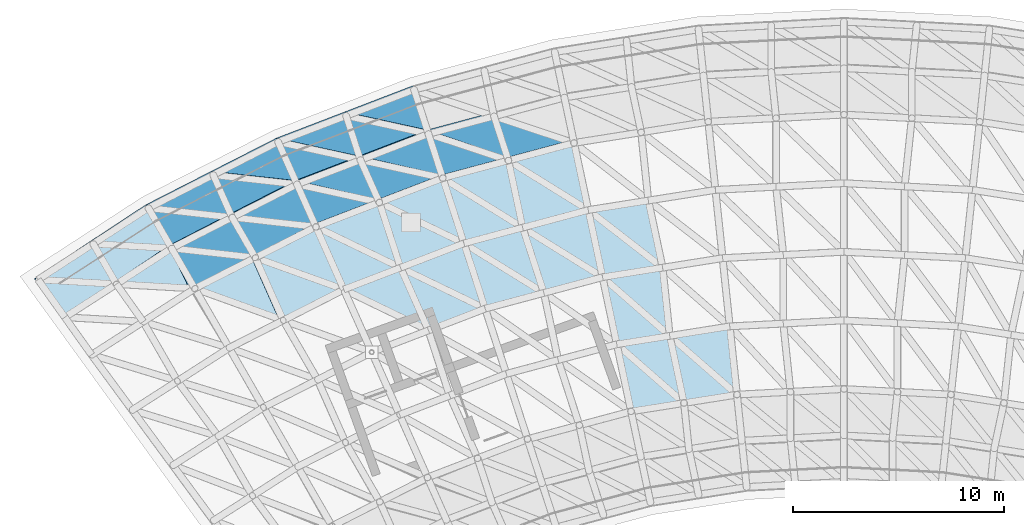
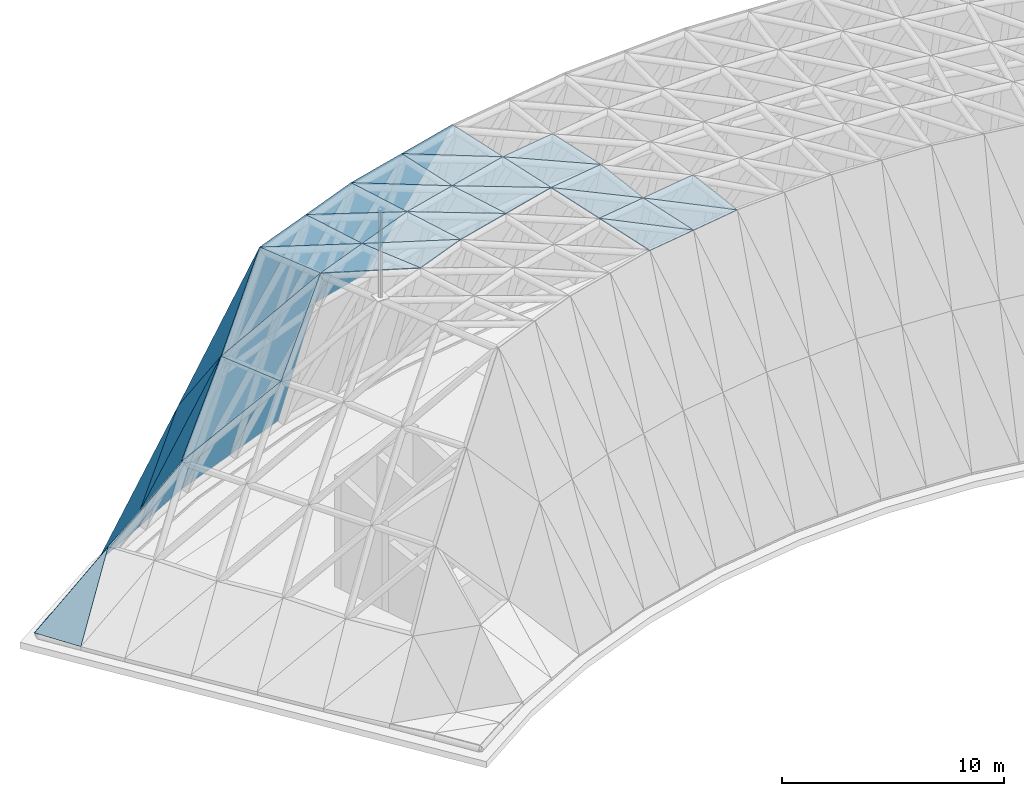
# One storey, part 13 of 20: 50 plates, 22 elements without a shape of their own.
"""IFC4 building model written with IfcOpenShell, lengths in metres."""

from ifc_helpers import new_model, si_unit, direction, frame, origin, place, context, subcontext, project, spatial, polyline, outline, extrude, material, layer, layer_set, type_object, element, aggregate, save


model = new_model("IFC4")

# Units and contexts
model_context = context("Model", 3, precision=1e-05, world=origin(), true_north=direction((0.0, 1.0)))
body_context = subcontext(model_context, "Body", "Model", "MODEL_VIEW")
ifc_project = project(units=[si_unit("LENGTHUNIT", "METRE"), si_unit("AREAUNIT", "SQUARE_METRE"), si_unit("VOLUMEUNIT", "CUBIC_METRE"), si_unit("PLANEANGLEUNIT", "RADIAN"), si_unit("MASSUNIT", "GRAM", prefix="KILO")], contexts=[model_context])

# Site, building, storey
site_placement = place(None, origin())
site = spatial("IfcSite", under=ifc_project, at=site_placement, CompositionType="ELEMENT")
building_placement = place(site_placement, origin())
building = spatial("IfcBuilding", under=site, at=building_placement, Name="Stone Belt Terrace Tower", CompositionType="ELEMENT")
storey_placement = place(building_placement, frame((0.0, 0.0, 337.39990234375)))
storey = spatial("IfcBuildingStorey", under=building, at=storey_placement, Name="RF", CompositionType="ELEMENT", Elevation=337.39990234375)

# Curtain wall, plate
ifc_material_1 = material(Name="Structural steel C345", Category="steel")
ifc_layer_1 = layer(ifc_material_1, 0.324951171875)
ifc_layer_set_1 = layer_set([ifc_layer_1], Name="CW-F glass point curtain wall")
curtain_wall_type = type_object("IfcCurtainWallType", Name="CW-F glass point curtain wall", PredefinedType="NOTDEFINED", material=ifc_layer_set_1)
curtain_wall_1_placement = place(storey_placement, origin())
curtain_wall_1 = element("IfcCurtainWall", 1, at=curtain_wall_1_placement, inside=storey, type_object=curtain_wall_type, Name="CW-F glass point panels 1", PredefinedType="NOTDEFINED")
ifc_material_2 = material(Name="Clear double glazed unit")
ifc_layer_2 = layer(ifc_material_2, 0.044921875)
ifc_layer_set_2 = layer_set([ifc_layer_2], Name="Glass point facet panel 45")
plate_type = type_object("IfcPlateType", Name="Glass point facet panel 45", PredefinedType="CURTAIN_PANEL", material=ifc_layer_set_2)
plate_1_placement = place(storey_placement, frame((-38.349853515625, 53.722900390625, 0.34619140625), z_axis=(-0.463100432357, 0.713906854803, 0.525238033862), x_axis=(0.830839480416, 0.556027981679, -0.023208648646)))
plate_1 = element("IfcPlate", 2, at=plate_1_placement, type_object=plate_type, Name="GLASS POINT FACET 1", PredefinedType="CURTAIN_PANEL", context=body_context, shape_type="SweptSolid", body=[
    extrude(outline(polyline([(0.0, 0.0), (3.239969446205963, -2.0816681711721685e-16), (2.885976348641037, -4.264473346641817), (0.0, 0.0)])), origin(), (0.0, 0.0, -1.0), 0.044921875),
])

curtain_wall_2_placement = place(storey_placement, origin())
curtain_wall_2 = element("IfcCurtainWall", 3, at=curtain_wall_2_placement, inside=storey, type_object=curtain_wall_type, Name="CW-F glass point panels 8", PredefinedType="NOTDEFINED")
plate_2_placement = place(storey_placement, frame((-33.081787109375, 57.221435546875, 0.25927734375), z_axis=(-0.465630247437, 0.71048891699, 0.527630525564), x_axis=(0.259612021142, -0.46031364625, 0.848948140675)))
plate_2 = element("IfcPlate", 4, at=plate_2_placement, type_object=plate_type, Name="GLASS POINT FACET 2", PredefinedType="CURTAIN_PANEL", context=body_context, shape_type="SweptSolid", body=[
    extrude(outline(polyline([(0.0, 0.0), (4.206434705229983, 4.163336342344337e-17), (0.12237480498161792, -3.0842454761654188), (0.0, 0.0)])), origin(), (0.0, 0.0, -1.0), 0.044921875),
])

curtain_wall_3_placement = place(storey_placement, origin())
curtain_wall_3 = element("IfcCurtainWall", 5, at=curtain_wall_3_placement, inside=storey, type_object=curtain_wall_type, Name="CW-F glass point panels 15", PredefinedType="NOTDEFINED")
plate_3_placement = place(storey_placement, frame((-30.997802734375, 53.23095703125, 7.4970703125), z_axis=(-0.463072350253, 0.713925637331, 0.525237263332), x_axis=(-0.710692171094, 0.055009642863, -0.701349112167)))
plate_3 = element("IfcPlate", 6, at=plate_3_placement, type_object=plate_type, Name="GLASS POINT FACET 3", PredefinedType="CURTAIN_PANEL", context=body_context, shape_type="SweptSolid", body=[
    extrude(outline(polyline([(0.0, 0.0), (5.121616258305911, 2.220446049250313e-16), (3.3912369649764305, -2.6768931414337764), (0.0, 0.0)])), origin(), (0.0, 0.0, -1.0), 0.044921875),
])

curtain_wall_4_placement = place(storey_placement, origin())
curtain_wall_4 = element("IfcCurtainWall", 7, at=curtain_wall_4_placement, inside=storey, type_object=curtain_wall_type, Name="CW-F glass point panels 22", PredefinedType="NOTDEFINED")
plate_4_placement = place(storey_placement, frame((-35.658935546875, 55.524169921875, 0.2705078125), z_axis=(-0.463118322268, 0.713895978158, 0.525237043581), x_axis=(0.717015592258, -0.04656069315, 0.695500353927)))
plate_4 = element("IfcPlate", 8, at=plate_4_placement, type_object=plate_type, Name="GLASS POINT FACET 4", PredefinedType="CURTAIN_PANEL", context=body_context, shape_type="SweptSolid", body=[
    extrude(outline(polyline([(0.0, 0.0), (5.117648253918683, -4.440892098500626e-16), (3.3551086943657404, -2.6559912812984705), (0.0, 0.0)])), origin(), (0.0, 0.0, -1.0), 0.044921875),
])

# Plate
plate_5_placement = place(storey_placement, frame((-38.349853515625, 53.7236328125, 0.34619140625), z_axis=(-0.631457865934, -0.449050576176, 0.632150728533), x_axis=(0.721268635688, -0.040865884315, 0.691448866275)))
plate_5 = element("IfcPlate", 9, at=plate_5_placement, type_object=plate_type, Name="GLASS POINT FACET 5", PredefinedType="CURTAIN_PANEL", context=body_context, shape_type="SweptSolid", body=[
    extrude(outline(polyline([(0.0, 0.0), (5.149753205626579, 2.220446049250313e-16), (0.9866390552476534, -2.103093110051632), (0.0, 0.0)])), origin(), (0.0, 0.0, -1.0), 0.044921875),
])

plate_6_placement = place(storey_placement, frame((-33.0830078125, 57.220703125, 0.259033203125), z_axis=(-0.434077752515, 0.855891368155, 0.28111647175), x_axis=(0.890317659941, 0.455203153304, -0.01116035926)))
plate_6 = element("IfcPlate", 10, at=plate_6_placement, type_object=plate_type, Name="GLASS POINT FACET 33", PredefinedType="CURTAIN_PANEL", context=body_context, shape_type="SweptSolid", body=[
    extrude(outline(polyline([(0.0, 0.0), (3.5001113397055077, -2.0816681711721685e-17), (3.234254334807338, -7.842614442237687), (0.0, 0.0)])), origin(), (0.0, 0.0, -1.0), 0.044921875),
])

plate_7_placement = place(storey_placement, frame((-26.88134765625, 60.385986328125, 0.22021484375), z_axis=(-0.435656805332, 0.855104474669, 0.281068470963), x_axis=(0.114065147326, -0.257294501497, 0.959577345327)))
plate_7 = element("IfcPlate", 11, at=plate_7_placement, type_object=plate_type, Name="GLASS POINT FACET 34", PredefinedType="CURTAIN_PANEL", context=body_context, shape_type="SweptSolid", body=[
    extrude(outline(polyline([(0.0, 0.0), (7.818739764346369, 2.7755575615628914e-17), (0.052282385046498715, -3.4637529908196845), (0.0, 0.0)])), origin(), (0.0, 0.0, -1.0), 0.044921875),
])

aggregate(curtain_wall_2, [plate_2, plate_5, plate_7])

plate_8_placement = place(storey_placement, frame((-25.15576171875, 56.29443359375, 15.3896484375), z_axis=(-0.435898923956, 0.855501344938, 0.27948090615), x_axis=(-0.460296062073, 0.054933267123, -0.886064259184)))
plate_8 = element("IfcPlate", 12, at=plate_8_placement, type_object=plate_type, Name="GLASS POINT FACET 35", PredefinedType="CURTAIN_PANEL", context=body_context, shape_type="SweptSolid", body=[
    extrude(outline(polyline([(0.0, 0.0), (8.626411243059945, 0.0), (7.293783029411992, -3.262702450019437), (0.0, 0.0)])), origin(), (0.0, 0.0, -1.0), 0.044921875),
])

plate_9_placement = place(storey_placement, frame((-29.9677734375, 58.813720703125, 0.21923828125), z_axis=(-0.4356783033, 0.855096075825, 0.281060700104), x_axis=(0.467861362482, -0.051620933342, 0.88229304924)))
plate_9 = element("IfcPlate", 13, at=plate_9_placement, type_object=plate_type, Name="GLASS POINT FACET 36", PredefinedType="CURTAIN_PANEL", context=body_context, shape_type="SweptSolid", body=[
    extrude(outline(polyline([(0.0, 0.0), (8.50362082454907, 0.0), (7.141842904720086, -3.250643956239996), (0.0, 0.0)])), origin(), (0.0, 0.0, -1.0), 0.044921875),
])

# Curtain wall, plate
curtain_wall_5_placement = place(storey_placement, origin())
curtain_wall_5 = element("IfcCurtainWall", 14, at=curtain_wall_5_placement, inside=storey, type_object=curtain_wall_type, Name="CW-F glass point panels 29", PredefinedType="NOTDEFINED")
plate_10_placement = place(storey_placement, frame((-33.0830078125, 57.22119140625, 0.2578125), z_axis=(-0.810258517403, 0.374501133755, 0.450810421121), x_axis=(0.466559035466, -0.053345695452, 0.882879891719)))
plate_10 = element("IfcPlate", 15, at=plate_10_placement, type_object=plate_type, Name="GLASS POINT FACET 37", PredefinedType="CURTAIN_PANEL", context=body_context, shape_type="SweptSolid", body=[
    extrude(outline(polyline([(0.0, 0.0), (8.484971747303572, -1.1102230246251565e-16), (3.765813069417921, -1.874696932692677), (0.0, 0.0)])), origin(), (0.0, 0.0, -1.0), 0.044921875),
])

curtain_wall_6_placement = place(storey_placement, origin())
curtain_wall_6 = element("IfcCurtainWall", 16, at=curtain_wall_6_placement, inside=storey, type_object=curtain_wall_type, Name="CW-F glass point panels 9", PredefinedType="NOTDEFINED")
plate_11_placement = place(storey_placement, frame((-25.155029296875, 56.294921875, 15.389892578125), z_axis=(-0.817030400271, 0.364206794455, 0.447006415956), x_axis=(-0.557347393128, -0.300218099698, -0.774101399034)))
plate_11 = element("IfcPlate", 17, at=plate_11_placement, type_object=plate_type, Name="GLASS POINT FACET 38", PredefinedType="CURTAIN_PANEL", context=body_context, shape_type="SweptSolid", body=[
    extrude(outline(polyline([(0.0, 0.0), (5.218374215947385, 2.220446049250313e-16), (7.989223125455105, -3.2581432065783575), (0.0, 0.0)])), origin(), (0.0, 0.0, -1.0), 0.044921875),
])

# Plate
plate_12_placement = place(storey_placement, frame((-30.998779296875, 53.230712890625, 7.495849609375), z_axis=(-0.795095883443, 0.411391816711, 0.445622384173), x_axis=(-0.229742211511, 0.475700855561, -0.849074326704)))
plate_12 = element("IfcPlate", 18, at=plate_12_placement, type_object=plate_type, Name="GLASS POINT FACET 39", PredefinedType="CURTAIN_PANEL", context=body_context, shape_type="SweptSolid", body=[
    extrude(outline(polyline([(0.0, 0.0), (4.320824522060336, 2.220446049250313e-16), (-3.2365771607989666, -3.907441822403615), (0.0, 0.0)])), origin(), (0.0, 0.0, -1.0), 0.044921875),
])

aggregate(curtain_wall_1, [plate_1, plate_6, plate_12])

# Curtain wall, plate
curtain_wall_7_placement = place(storey_placement, origin())
curtain_wall_7 = element("IfcCurtainWall", 19, at=curtain_wall_7_placement, inside=storey, type_object=curtain_wall_type, Name="CW-F glass point panels 35", PredefinedType="NOTDEFINED")
plate_13_placement = place(storey_placement, frame((-29.125244140625, 56.76904296875, 7.7470703125), z_axis=(-0.810294683523, 0.37441048413, 0.450820712954), x_axis=(0.248526661027, -0.477132374718, 0.842958596703)))
plate_13 = element("IfcPlate", 20, at=plate_13_placement, type_object=plate_type, Name="GLASS POINT FACET 40", PredefinedType="CURTAIN_PANEL", context=body_context, shape_type="SweptSolid", body=[
    extrude(outline(polyline([(0.0, 0.0), (4.277159950801412, 0.0), (-3.3088284459496293, -3.8516492358354855), (0.0, 0.0)])), origin(), (0.0, 0.0, -1.0), 0.044921875),
])
aggregate(curtain_wall_7, [plate_13])

# Plate
plate_14_placement = place(storey_placement, frame((-30.99951171875, 53.2314453125, 7.494873046875), z_axis=(-0.694778016252, -0.309399651967, 0.649272949918), x_axis=(0.57882786842, 0.295284985087, 0.760108595086)))
plate_14 = element("IfcPlate", 21, at=plate_14_placement, type_object=plate_type, Name="GLASS POINT FACET 41", PredefinedType="CURTAIN_PANEL", context=body_context, shape_type="SweptSolid", body=[
    extrude(outline(polyline([(0.0, 0.0), (5.073224006157643, 2.7755575615628914e-17), (4.955843698451327, -3.3383175868743216), (0.0, 0.0)])), origin(), (0.0, 0.0, -1.0), 0.044921875),
])

aggregate(curtain_wall_4, [plate_4, plate_9, plate_14])

plate_15_placement = place(storey_placement, frame((-25.156005859375, 56.29541015625, 15.38818359375), z_axis=(-0.707952877741, -0.315183992838, 0.632029883437), x_axis=(0.40286997551, -0.915242715726, -0.00515307128)))
plate_15 = element("IfcPlate", 22, at=plate_15_placement, type_object=plate_type, Name="GLASS POINT FACET 42", PredefinedType="CURTAIN_PANEL", context=body_context, shape_type="SweptSolid", body=[
    extrude(outline(polyline([(0.0, 0.0), (3.4111938383735856, 6.418476861114186e-17), (0.28304995525592275, -5.209988035068739), (0.0, 0.0)])), origin(), (0.0, 0.0, -1.0), 0.044921875),
])

plate_16_placement = place(storey_placement, frame((-28.06396484375, 54.7294921875, 11.349853515625), z_axis=(-0.707980899109, -0.315150692534, 0.632015100683), x_axis=(0.704681856111, -0.255984994421, 0.661736476476)))
plate_16 = element("IfcPlate", 23, at=plate_16_placement, type_object=plate_type, Name="GLASS POINT FACET 44", PredefinedType="CURTAIN_PANEL", context=body_context, shape_type="SweptSolid", body=[
    extrude(outline(polyline([(0.0, 0.0), (6.0771689606960155, -4.440892098500626e-16), (1.7362432286883471, -2.8535834069097326), (0.0, 0.0)])), origin(), (0.0, 0.0, -1.0), 0.044921875),
])

aggregate(curtain_wall_3, [plate_3, plate_8, plate_16])

# Curtain wall, plate
curtain_wall_8_placement = place(storey_placement, origin())
curtain_wall_8 = element("IfcCurtainWall", 24, at=curtain_wall_8_placement, inside=storey, type_object=curtain_wall_type, Name="CW-F glass point panels 2", PredefinedType="NOTDEFINED")
plate_17_placement = place(storey_placement, frame((-26.882568359375, 60.385498046875, 0.22021484375), z_axis=(-0.34383856367, 0.895973734832, 0.281080252995), x_axis=(0.93360561621, 0.358302314246, -7.0615356e-05)))
plate_17 = element("IfcPlate", 25, at=plate_17_placement, type_object=plate_type, Name="GLASS POINT FACET 65", PredefinedType="CURTAIN_PANEL", context=body_context, shape_type="SweptSolid", body=[
    extrude(outline(polyline([(0.0, 0.0), (3.457330533451188, -1.360673726469308e-17), (3.341743161120488, -7.817860172148981), (0.0, 0.0)])), origin(), (0.0, 0.0, -1.0), 0.044921875),
])

# Plate
plate_18_placement = place(storey_placement, frame((-20.422119140625, 62.864990234375, 0.22021484375), z_axis=(-0.34390237583, 0.895957871262, 0.28105275096), x_axis=(0.086556301179, -0.267787459925, 0.959582139805)))
plate_18 = element("IfcPlate", 26, at=plate_18_placement, type_object=plate_type, Name="GLASS POINT FACET 66", PredefinedType="CURTAIN_PANEL", context=body_context, shape_type="SweptSolid", body=[
    extrude(outline(polyline([(0.0, 0.0), (7.818700698617821, -4.163336342344337e-17), (0.05223317839371642, -3.4635097308592635), (0.0, 0.0)])), origin(), (0.0, 0.0, -1.0), 0.044921875),
])

# Curtain wall, plate
curtain_wall_9_placement = place(storey_placement, origin())
curtain_wall_9 = element("IfcCurtainWall", 27, at=curtain_wall_9_placement, inside=storey, type_object=curtain_wall_type, Name="CW-F glass point panels 16", PredefinedType="NOTDEFINED")
plate_19_placement = place(storey_placement, frame((-19.0546875, 58.63671875, 15.37255859375), z_axis=(-0.343960965053, 0.895935905406, 0.281051077073), x_axis=(-0.453610748895, 0.103525929493, -0.885166464802)))
plate_19 = element("IfcPlate", 28, at=plate_19_placement, type_object=plate_type, Name="GLASS POINT FACET 67", PredefinedType="CURTAIN_PANEL", context=body_context, shape_type="SweptSolid", body=[
    extrude(outline(polyline([(0.0, 0.0), (8.64536580962666, 4.440892098500626e-16), (7.308060027213191, -3.1917550643040142), (0.0, 0.0)])), origin(), (0.0, 0.0, -1.0), 0.044921875),
])

curtain_wall_10_placement = place(storey_placement, origin())
curtain_wall_10 = element("IfcCurtainWall", 29, at=curtain_wall_10_placement, inside=storey, type_object=curtain_wall_type, Name="CW-F glass point panels 23", PredefinedType="NOTDEFINED")
plate_20_placement = place(storey_placement, frame((-23.65576171875, 61.6240234375, 0.218994140625), z_axis=(-0.343861464776, 0.895976102549, 0.281044688089), x_axis=(0.459895092193, -0.10025305337, 0.882295772101)))
plate_20 = element("IfcPlate", 30, at=plate_20_placement, type_object=plate_type, Name="GLASS POINT FACET 68", PredefinedType="CURTAIN_PANEL", context=body_context, shape_type="SweptSolid", body=[
    extrude(outline(polyline([(0.0, 0.0), (8.50387129209147, -4.440892098500626e-16), (7.142282817478094, -3.181624733517328), (0.0, 0.0)])), origin(), (0.0, 0.0, -1.0), 0.044921875),
])

# Plate
plate_21_placement = place(storey_placement, frame((-26.88232421875, 60.385986328125, 0.21923828125), z_axis=(-0.343948046732, 0.895918657366, 0.281121860644), x_axis=(0.459604431647, -0.100443352612, 0.882425577217)))
plate_21 = element("IfcPlate", 31, at=plate_21_placement, type_object=plate_type, Name="GLASS POINT FACET 69", PredefinedType="CURTAIN_PANEL", context=body_context, shape_type="SweptSolid", body=[
    extrude(outline(polyline([(0.0, 0.0), (8.502343699665486, 0.0), (7.232633845755178, -2.9702078524822393), (0.0, 0.0)])), origin(), (0.0, 0.0, -1.0), 0.044921875),
])

aggregate(curtain_wall_5, [plate_10, plate_15, plate_21])

# Curtain wall, plate
curtain_wall_11_placement = place(storey_placement, origin())
curtain_wall_11 = element("IfcCurtainWall", 32, at=curtain_wall_11_placement, inside=storey, type_object=curtain_wall_type, Name="CW-F glass point panels 36", PredefinedType="NOTDEFINED")
plate_22_placement = place(storey_placement, frame((-19.054443359375, 58.63720703125, 15.37158203125), z_axis=(-0.344011439493, 0.895909384494, 0.281073841318), x_axis=(-0.93356003108, -0.358421044933, -0.000151392205)))
plate_22 = element("IfcPlate", 33, at=plate_22_placement, type_object=plate_type, Name="GLASS POINT FACET 70", PredefinedType="CURTAIN_PANEL", context=body_context, shape_type="SweptSolid", body=[
    extrude(outline(polyline([(0.0, 0.0), (3.2252733920527703, 1.4799359654427136e-17), (3.3414425334879625, -7.973525680504151), (0.0, 0.0)])), origin(), (0.0, 0.0, -1.0), 0.044921875),
])

curtain_wall_12_placement = place(storey_placement, origin())
curtain_wall_12 = element("IfcCurtainWall", 34, at=curtain_wall_12_placement, inside=storey, type_object=curtain_wall_type, Name="CW-F glass point panels 41", PredefinedType="NOTDEFINED")
plate_23_placement = place(storey_placement, frame((-25.156494140625, 56.29443359375, 15.388671875), z_axis=(-0.342650761552, 0.89660925535, 0.280503652076), x_axis=(-0.104405146427, 0.260386496299, -0.959842923579)))
plate_23 = element("IfcPlate", 35, at=plate_23_placement, type_object=plate_type, Name="GLASS POINT FACET 71", PredefinedType="CURTAIN_PANEL", context=body_context, shape_type="SweptSolid", body=[
    extrude(outline(polyline([(0.0, 0.0), (7.990300709988265, 3.469446951953614e-17), (0.0031671477908137985, -3.3124164778659324), (0.0, 0.0)])), origin(), (0.0, 0.0, -1.0), 0.044921875),
])
aggregate(curtain_wall_12, [plate_23])

curtain_wall_13_placement = place(storey_placement, origin())
curtain_wall_13 = element("IfcCurtainWall", 36, at=curtain_wall_13_placement, inside=storey, type_object=curtain_wall_type, Name="CW-F glass point panels 47", PredefinedType="NOTDEFINED")
plate_24_placement = place(storey_placement, frame((-22.97509765625, 59.5322265625, 7.719970703125), z_axis=(-0.343928948832, 0.89594143925, 0.281072616223), x_axis=(0.114196396125, -0.257202124356, 0.959586499665)))
plate_24 = element("IfcPlate", 37, at=plate_24_placement, type_object=plate_type, Name="GLASS POINT FACET 72", PredefinedType="CURTAIN_PANEL", context=body_context, shape_type="SweptSolid", body=[
    extrude(outline(polyline([(0.0, 0.0), (7.974371890442594, -5.551115123125783e-17), (-0.04663466983359471, -3.230107666995448), (0.0, 0.0)])), origin(), (0.0, 0.0, -1.0), 0.044921875),
])

# Plate
plate_25_placement = place(storey_placement, frame((-25.157470703125, 56.294921875, 15.3876953125), z_axis=(0.005048586988, 0.001653676811, 0.999985888462), x_axis=(0.93353743951, 0.358440646177, -0.005305864828)))
plate_25 = element("IfcPlate", 38, at=plate_25_placement, type_object=plate_type, Name="GLASS POINT FACET 73", PredefinedType="CURTAIN_PANEL", context=body_context, shape_type="SweptSolid", body=[
    extrude(outline(polyline([(0.0, 0.0), (3.3129613303182524, 8.517255097820892e-17), (3.142464940578402, -3.402792083516841), (0.0, 0.0)])), origin(), (0.0, 0.0, -1.0), 0.044921875),
])

plate_26_placement = place(storey_placement, frame((-19.054931640625, 58.637939453125, 15.37060546875), z_axis=(-9.2678306e-05, -0.000180914918, 0.99999997934), x_axis=(0.309815035333, -0.950796836, -0.000143300201)))
plate_26 = element("IfcPlate", 39, at=plate_26_placement, type_object=plate_type, Name="GLASS POINT FACET 74", PredefinedType="CURTAIN_PANEL", context=body_context, shape_type="SweptSolid", body=[
    extrude(outline(polyline([(0.0, 0.0), (3.407401004173264, 2.6418618811682726e-16), (0.16635879908890822, -3.221524231446131), (0.0, 0.0)])), origin(), (0.0, 0.0, -1.0), 0.044921875),
])

aggregate(curtain_wall_8, [plate_17, plate_26])

plate_27_placement = place(storey_placement, frame((-16.9951171875, 52.30712890625, 15.3701171875), z_axis=(0.0, 0.0, 1.0), x_axis=(-0.900374000942, 0.435116833078, 0.0)))
plate_27 = element("IfcPlate", 40, at=plate_27_placement, type_object=plate_type, Name="GLASS POINT FACET 75", PredefinedType="CURTAIN_PANEL", context=body_context, shape_type="SweptSolid", body=[
    extrude(outline(polyline([(0.0, 0.0), (4.455071408719524, 0.0), (2.2504881419221063, -2.347411366938369), (0.0, 0.0)])), origin(), (0.0, 0.0, -1.0), 0.044921875),
])

aggregate(curtain_wall_6, [plate_11, plate_18, plate_27])

# Curtain wall, plate
curtain_wall_14_placement = place(storey_placement, origin())
curtain_wall_14 = element("IfcCurtainWall", 41, at=curtain_wall_14_placement, inside=storey, type_object=curtain_wall_type, Name="CW-F glass point panels 30", PredefinedType="NOTDEFINED")
plate_28_placement = place(storey_placement, frame((-22.06591796875, 57.482421875, 15.3701171875), z_axis=(0.0, 0.0, 1.0), x_axis=(0.890003177119, -0.45595432306, 0.0)))
plate_28 = element("IfcPlate", 42, at=plate_28_placement, type_object=plate_type, Name="GLASS POINT FACET 76", PredefinedType="CURTAIN_PANEL", context=body_context, shape_type="SweptSolid", body=[
    extrude(outline(polyline([(0.0, 0.0), (4.569528104846568, 0.0), (2.4200644725362555, -2.397867810646292), (0.0, 0.0)])), origin(), (0.0, 0.0, -1.0), 0.044921875),
])

# Plate
plate_29_placement = place(storey_placement, frame((-25.1572265625, 56.2958984375, 15.3876953125), z_axis=(0.001856685697, -0.004811656786, 0.99998670025), x_axis=(0.896665264958, -0.442692896801, -0.003794962325)))
plate_29 = element("IfcPlate", 43, at=plate_29_placement, type_object=plate_type, Name="GLASS POINT FACET 77", PredefinedType="CURTAIN_PANEL", context=body_context, shape_type="SweptSolid", body=[
    extrude(outline(polyline([(0.0, 0.0), (4.631962979734142, 3.4450524030726903e-17), (2.6149862114228406, -2.1916513151840538), (0.0, 0.0)])), origin(), (0.0, 0.0, -1.0), 0.044921875),
])

plate_30_placement = place(storey_placement, frame((-16.99462890625, 52.307861328125, 15.3701171875), z_axis=(0.0, 0.0, 1.0), x_axis=(-0.933605337582, -0.358303047209, 0.0)))
plate_30 = element("IfcPlate", 44, at=plate_30_placement, type_object=plate_type, Name="GLASS POINT FACET 78", PredefinedType="CURTAIN_PANEL", context=body_context, shape_type="SweptSolid", body=[
    extrude(outline(polyline([(0.0, 0.0), (2.8801943771180536, 0.0), (3.0504845712692252, -3.2473235728572254), (0.0, 0.0)])), origin(), (0.0, 0.0, -1.0), 0.044921875),
])

plate_31_placement = place(storey_placement, frame((-21.0048828125, 54.246337890625, 15.3701171875), z_axis=(0.0, 0.0, 1.0), x_axis=(0.406765299215, -0.913532698569, 0.0)))
plate_31 = element("IfcPlate", 45, at=plate_31_placement, type_object=plate_type, Name="GLASS POINT FACET 80", PredefinedType="CURTAIN_PANEL", context=body_context, shape_type="SweptSolid", body=[
    extrude(outline(polyline([(0.0, 0.0), (3.2518848308918322, 0.0), (-0.1507731991086041, -2.974692961245925), (0.0, 0.0)])), origin(), (0.0, 0.0, -1.0), 0.044921875),
])

plate_32_placement = place(storey_placement, frame((-12.82080078125, 60.3076171875, 15.37158203125), z_axis=(-0.248425540113, 0.926980925615, 0.281053579529), x_axis=(-0.965926415049, -0.258816803531, -0.000151399125)))
plate_32 = element("IfcPlate", 46, at=plate_32_placement, type_object=plate_type, Name="GLASS POINT FACET 102", PredefinedType="CURTAIN_PANEL", context=body_context, shape_type="SweptSolid", body=[
    extrude(outline(polyline([(0.0, 0.0), (3.225125979025545, 6.1257422745431e-18), (3.3416188452629423, -7.973476325927952), (0.0, 0.0)])), origin(), (0.0, 0.0, -1.0), 0.044921875),
])

# Curtain wall, plate
curtain_wall_15_placement = place(storey_placement, origin())
curtain_wall_15 = element("IfcCurtainWall", 47, at=curtain_wall_15_placement, inside=storey, type_object=curtain_wall_type, Name="CW-F glass point panels 42", PredefinedType="NOTDEFINED")
plate_33_placement = place(storey_placement, frame((-19.055419921875, 58.63671875, 15.37158203125), z_axis=(-0.248416422512, 0.926976318219, 0.28107683378), x_axis=(-0.086636739766, 0.267747323672, -0.959586080552)))
plate_33 = element("IfcPlate", 48, at=plate_33_placement, type_object=plate_type, Name="GLASS POINT FACET 103", PredefinedType="CURTAIN_PANEL", context=body_context, shape_type="SweptSolid", body=[
    extrude(outline(polyline([(0.0, 0.0), (7.97488421906161, -1.249000902703301e-16), (-0.04593977163705598, -3.23042974771664), (0.0, 0.0)])), origin(), (0.0, 0.0, -1.0), 0.044921875),
])

# Plate
plate_34_placement = place(storey_placement, frame((-16.62646484375, 61.607666015625, 7.719970703125), z_axis=(-0.248408193525, 0.926979597502, 0.281073291517), x_axis=(0.086672926234, -0.26773392438, 0.959586551382)))
plate_34 = element("IfcPlate", 49, at=plate_34_placement, type_object=plate_type, Name="GLASS POINT FACET 104", PredefinedType="CURTAIN_PANEL", context=body_context, shape_type="SweptSolid", body=[
    extrude(outline(polyline([(0.0, 0.0), (7.974371460657375, -5.551115123125783e-17), (-0.04657665507818268, -3.230121540960658), (0.0, 0.0)])), origin(), (0.0, 0.0, -1.0), 0.044921875),
])

aggregate(curtain_wall_13, [plate_24, plate_31, plate_34])

plate_35_placement = place(storey_placement, frame((-19.056396484375, 58.637451171875, 15.37060546875), z_axis=(0.000147920463, 3.1811085e-05, 0.999999988554), x_axis=(0.965915661146, 0.258856934847, -0.000151113214)))
plate_35 = element("IfcPlate", 50, at=plate_35_placement, type_object=plate_type, Name="GLASS POINT FACET 105", PredefinedType="CURTAIN_PANEL", context=body_context, shape_type="SweptSolid", body=[
    extrude(outline(polyline([(0.0, 0.0), (3.231228020775896, 6.2797599958780236e-18), (3.0609183009718746, -3.4027035574663445), (0.0, 0.0)])), origin(), (0.0, 0.0, -1.0), 0.044921875),
])

aggregate(curtain_wall_10, [plate_20, plate_25, plate_35])

# Curtain wall, plate
curtain_wall_16_placement = place(storey_placement, origin())
curtain_wall_16 = element("IfcCurtainWall", 51, at=curtain_wall_16_placement, inside=storey, type_object=curtain_wall_type, Name="CW-F glass point panels 3", PredefinedType="NOTDEFINED")
plate_36_placement = place(storey_placement, frame((-12.8212890625, 60.308349609375, 15.37060546875), z_axis=(-0.000111093612, -0.000170240725, 0.999999979338), x_axis=(0.208721621972, -0.97797508352, -0.000143303551)))
plate_36 = element("IfcPlate", 52, at=plate_36_placement, type_object=plate_type, Name="GLASS POINT FACET 106", PredefinedType="CURTAIN_PANEL", context=body_context, shape_type="SweptSolid", body=[
    extrude(outline(polyline([(0.0, 0.0), (3.407321358977701, -3.895951863697796e-17), (0.1662523761329661, -3.2213735926882423), (0.0, 0.0)])), origin(), (0.0, 0.0, -1.0), 0.044921875),
])
aggregate(curtain_wall_16, [plate_36])

curtain_wall_17_placement = place(storey_placement, origin())
curtain_wall_17 = element("IfcCurtainWall", 53, at=curtain_wall_17_placement, inside=storey, type_object=curtain_wall_type, Name="CW-F glass point panels 10", PredefinedType="NOTDEFINED")
plate_37_placement = place(storey_placement, frame((-11.434326171875, 53.797119140625, 15.3701171875), z_axis=(0.0, 0.0, 1.0), x_axis=(-0.84995668029, 0.526852580548, 0.0)))
plate_37 = element("IfcPlate", 54, at=plate_37_placement, type_object=plate_type, Name="GLASS POINT FACET 107", PredefinedType="CURTAIN_PANEL", context=body_context, shape_type="SweptSolid", body=[
    extrude(outline(polyline([(0.0, 0.0), (4.455075395676088, -2.220446049250313e-16), (2.2503333659932445, -2.3472609461127667), (0.0, 0.0)])), origin(), (0.0, 0.0, -1.0), 0.044921875),
])

# Plate
plate_38_placement = place(storey_placement, frame((-15.9365234375, 59.47412109375, 15.3701171875), z_axis=(0.0, 0.0, 1.0), x_axis=(0.837459638685, -0.546499179847, 0.0)))
plate_38 = element("IfcPlate", 55, at=plate_38_placement, type_object=plate_type, Name="GLASS POINT FACET 108", PredefinedType="CURTAIN_PANEL", context=body_context, shape_type="SweptSolid", body=[
    extrude(outline(polyline([(0.0, 0.0), (4.5696581901962166, 0.0), (2.4201647682028518, -2.3979573381116435), (0.0, 0.0)])), origin(), (0.0, 0.0, -1.0), 0.044921875),
])

aggregate(curtain_wall_9, [plate_19, plate_30, plate_38])

# Curtain wall, plate
curtain_wall_18_placement = place(storey_placement, origin())
curtain_wall_18 = element("IfcCurtainWall", 56, at=curtain_wall_18_placement, inside=storey, type_object=curtain_wall_type, Name="CW-F glass point panels 51", PredefinedType="NOTDEFINED")
plate_39_placement = place(storey_placement, frame((-19.05615234375, 58.63818359375, 15.37060546875), z_axis=(3.7146835e-05, -0.000138601241, 0.999999989705), x_axis=(0.838452142084, -0.544975223339, -0.000106680087)))
plate_39 = element("IfcPlate", 57, at=plate_39_placement, type_object=plate_type, Name="GLASS POINT FACET 109", PredefinedType="CURTAIN_PANEL", context=body_context, shape_type="SweptSolid", body=[
    extrude(outline(polyline([(0.0, 0.0), (4.577060862216763, -2.0453833972941624e-17), (2.650838248210496, -2.1412660161554564), (0.0, 0.0)])), origin(), (0.0, 0.0, -1.0), 0.044921875),
])
aggregate(curtain_wall_18, [plate_39])

# Plate
plate_40_placement = place(storey_placement, frame((-11.433837890625, 53.7978515625, 15.3701171875), z_axis=(0.0, 0.0, 1.0), x_axis=(-0.965931782, -0.258796817064, 0.0)))
plate_40 = element("IfcPlate", 58, at=plate_40_placement, type_object=plate_type, Name="GLASS POINT FACET 110", PredefinedType="CURTAIN_PANEL", context=body_context, shape_type="SweptSolid", body=[
    extrude(outline(polyline([(0.0, 0.0), (2.88010237753552, 0.0), (3.0504138846059106, -3.2472328080147728), (0.0, 0.0)])), origin(), (0.0, 0.0, -1.0), 0.044921875),
])

aggregate(curtain_wall_14, [plate_28, plate_40])

plate_41_placement = place(storey_placement, frame((-16.996337890625, 52.307373046875, 15.3701171875), z_axis=(0.0, 0.0, 1.0), x_axis=(-0.30901137769, 0.951058341248, 0.0)))
plate_41 = element("IfcPlate", 59, at=plate_41_placement, type_object=plate_type, Name="GLASS POINT FACET 111", PredefinedType="CURTAIN_PANEL", context=body_context, shape_type="SweptSolid", body=[
    extrude(outline(polyline([(0.0, 0.0), (3.2519281976334407, 0.0), (-0.15078211253601015, -2.8761527184113387), (0.0, 0.0)])), origin(), (0.0, 0.0, -1.0), 0.044921875),
])

aggregate(curtain_wall_11, [plate_22, plate_29, plate_32, plate_41])

plate_42_placement = place(storey_placement, frame((-15.219482421875, 56.144775390625, 15.3701171875), z_axis=(0.0, 0.0, 1.0), x_axis=(0.30901137769, -0.951058341248, 0.0)))
plate_42 = element("IfcPlate", 60, at=plate_42_placement, type_object=plate_type, Name="GLASS POINT FACET 112", PredefinedType="CURTAIN_PANEL", context=body_context, shape_type="SweptSolid", body=[
    extrude(outline(polyline([(0.0, 0.0), (3.2519281976334407, 0.0), (-0.15078211253601015, -2.8761527184113387), (0.0, 0.0)])), origin(), (0.0, 0.0, -1.0), 0.044921875),
])

plate_43_placement = place(storey_placement, frame((-11.435546875, 53.79736328125, 15.3701171875), z_axis=(0.0, 0.0, 1.0), x_axis=(-0.20788299888, 0.978153698954, 0.0)))
plate_43 = element("IfcPlate", 61, at=plate_43_placement, type_object=plate_type, Name="GLASS POINT FACET 143", PredefinedType="CURTAIN_PANEL", context=body_context, shape_type="SweptSolid", body=[
    extrude(outline(polyline([(0.0, 0.0), (3.2519513104407944, 1.1102230246251565e-16), (-0.1505324645207532, -2.8762692666358256), (0.0, 0.0)])), origin(), (0.0, 0.0, -1.0), 0.044921875),
])

# Curtain wall, plate
curtain_wall_19_placement = place(storey_placement, origin())
curtain_wall_19 = element("IfcCurtainWall", 62, at=curtain_wall_19_placement, inside=storey, type_object=curtain_wall_type, Name="CW-F glass point panels 48", PredefinedType="NOTDEFINED")
plate_44_placement = place(storey_placement, frame((-9.267333984375, 57.427978515625, 15.3701171875), z_axis=(0.0, 0.0, 1.0), x_axis=(0.207898265864, -0.978150454199, 0.0)))
plate_44 = element("IfcPlate", 63, at=plate_44_placement, type_object=plate_type, Name="GLASS POINT FACET 144", PredefinedType="CURTAIN_PANEL", context=body_context, shape_type="SweptSolid", body=[
    extrude(outline(polyline([(0.0, 0.0), (3.2517125037814596, -1.1102230246251565e-16), (-0.15081616353789895, -2.8762161603642253), (0.0, 0.0)])), origin(), (0.0, 0.0, -1.0), 0.044921875),
])

curtain_wall_20_placement = place(storey_placement, origin())
curtain_wall_20 = element("IfcCurtainWall", 64, at=curtain_wall_20_placement, inside=storey, type_object=curtain_wall_type, Name="CW-F glass point panels 24", PredefinedType="NOTDEFINED")
plate_45_placement = place(storey_placement, frame((-11.436279296875, 53.798583984375, 15.3701171875), z_axis=(0.0, 0.0, 1.0), x_axis=(0.987694829334, 0.156393491257, 0.0)))
plate_45 = element("IfcPlate", 65, at=plate_45_placement, type_object=plate_type, Name="GLASS POINT FACET 145", PredefinedType="CURTAIN_PANEL", context=body_context, shape_type="SweptSolid", body=[
    extrude(outline(polyline([(0.0, 0.0), (2.880167515323478, -5.551115123125783e-17), (2.710070595706523, -3.2472425413046264), (0.0, 0.0)])), origin(), (0.0, 0.0, -1.0), 0.044921875),
])
aggregate(curtain_wall_20, [plate_45])

# Plate
plate_46_placement = place(storey_placement, frame((-5.055419921875, 48.078125, 15.37060546875), z_axis=(-2.2455756e-05, 0.000141729149, 0.999999989704), x_axis=(-0.736353251775, 0.67659727753, -0.000112428926)))
plate_46 = element("IfcPlate", 66, at=plate_46_placement, type_object=plate_type, Name="GLASS POINT FACET 147", PredefinedType="CURTAIN_PANEL", context=body_context, shape_type="SweptSolid", body=[
    extrude(outline(polyline([(0.0, 0.0), (4.343021558154727, 2.511630896400169e-16), (2.5534089697495252, -2.256431415632417), (0.0, 0.0)])), origin(), (0.0, 0.0, -1.0), 0.044921875),
])

aggregate(curtain_wall_17, [plate_37, plate_46])

# Curtain wall, plate
curtain_wall_21_placement = place(storey_placement, origin())
curtain_wall_21 = element("IfcCurtainWall", 67, at=curtain_wall_21_placement, inside=storey, type_object=curtain_wall_type, Name="CW-F glass point panels 37", PredefinedType="NOTDEFINED")
plate_47_placement = place(storey_placement, frame((-11.43603515625, 53.79931640625, 15.3701171875), z_axis=(0.0, 0.0, 1.0), x_axis=(0.752930555307, -0.65809997636, 0.0)))
plate_47 = element("IfcPlate", 68, at=plate_47_placement, type_object=plate_type, Name="GLASS POINT FACET 149", PredefinedType="CURTAIN_PANEL", context=body_context, shape_type="SweptSolid", body=[
    extrude(outline(polyline([(0.0, 0.0), (4.229891363387953, 0.0), (2.602539606980587, -1.9499500172318123), (0.0, 0.0)])), origin(), (0.0, 0.0, -1.0), 0.044921875),
])
aggregate(curtain_wall_21, [plate_47])

curtain_wall_22_placement = place(storey_placement, origin())
curtain_wall_22 = element("IfcCurtainWall", 69, at=curtain_wall_22_placement, inside=storey, type_object=curtain_wall_type, Name="CW-F glass point panels 31", PredefinedType="NOTDEFINED")
plate_48_placement = place(storey_placement, frame((-5.054931640625, 48.07861328125, 15.37060546875), z_axis=(-0.000189188222, -3.9737976e-05, 0.999999981314), x_axis=(-0.987679836683, -0.156488028078, -0.000193075914)))
plate_48 = element("IfcPlate", 70, at=plate_48_placement, type_object=plate_type, Name="GLASS POINT FACET 150", PredefinedType="CURTAIN_PANEL", context=body_context, shape_type="SweptSolid", body=[
    extrude(outline(polyline([(0.0, 0.0), (2.5289599337814863, -8.353297643373286e-17), (2.69892660270969, -3.403242993720513), (0.0, 0.0)])), origin(), (0.0, 0.0, -1.0), 0.044921875),
])
aggregate(curtain_wall_22, [plate_48])

# Plate
plate_49_placement = place(storey_placement, frame((-10.054443359375, 47.28662109375, 15.37060546875), z_axis=(0.000166289214, 0.000181672798, 0.999999969671), x_axis=(-0.207126070644, 0.978314249271, -0.00014329026)))
plate_49 = element("IfcPlate", 71, at=plate_49_placement, type_object=plate_type, Name="GLASS POINT FACET 151", PredefinedType="CURTAIN_PANEL", context=body_context, shape_type="SweptSolid", body=[
    extrude(outline(polyline([(0.0, 0.0), (3.4076374098177236, 5.24065107817748e-17), (-0.1305861755164825, -2.5310129518854043), (0.0, 0.0)])), origin(), (0.0, 0.0, -1.0), 0.044921875),
])

aggregate(curtain_wall_15, [plate_33, plate_42, plate_43, plate_49])

plate_50_placement = place(storey_placement, frame((-8.251953125, 51.016845703125, 15.3701171875), z_axis=(0.0, 0.0, 1.0), x_axis=(0.20557350802, -0.978641677429, 0.0)))
plate_50 = element("IfcPlate", 72, at=plate_50_placement, type_object=plate_type, Name="GLASS POINT FACET 152", PredefinedType="CURTAIN_PANEL", context=body_context, shape_type="SweptSolid", body=[
    extrude(outline(polyline([(0.0, 0.0), (3.407245709186965, 1.1102230246251565e-16), (-0.1269574672200391, -2.536623860626868), (0.0, 0.0)])), origin(), (0.0, 0.0, -1.0), 0.044921875),
])

aggregate(curtain_wall_19, [plate_44, plate_50])

save(model, "model.ifc")
